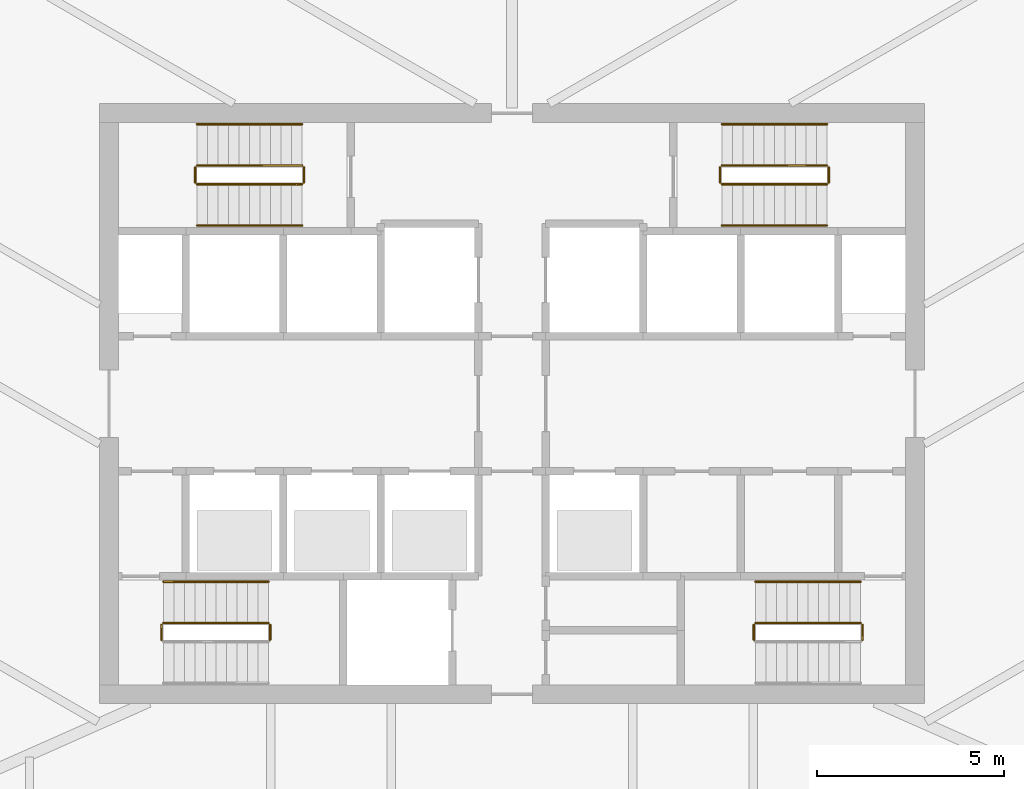
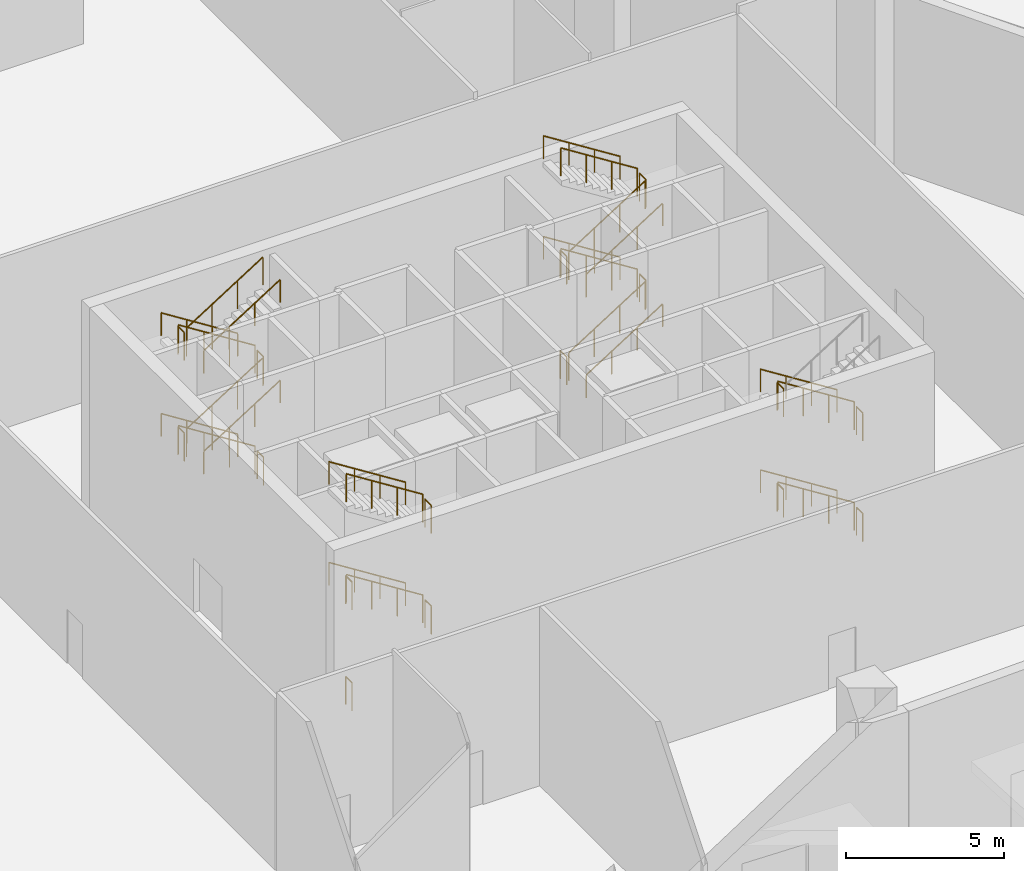
# One storey, part 16 of 20: 40 railings.
"""IFC4 building model written with IfcOpenShell, lengths in metres."""

from ifc_helpers import new_model, si_unit, direction, frame, origin, origin_2d, place, context, subcontext, project, spatial, circle, extrude, material, type_object, element, save


model = new_model("IFC4")

# Units and contexts
model_context = context("Model", 3, precision=1e-05, world=origin(), true_north=direction((0.0, 1.0)))
body_context = subcontext(model_context, "Body", "Model", "MODEL_VIEW")
ifc_project = project(units=[si_unit("LENGTHUNIT", "METRE"), si_unit("AREAUNIT", "SQUARE_METRE"), si_unit("VOLUMEUNIT", "CUBIC_METRE"), si_unit("PLANEANGLEUNIT", "RADIAN"), si_unit("MASSUNIT", "GRAM", prefix="KILO")], contexts=[model_context])

# Site, building, storey
site_placement = place(None, origin())
site = spatial("IfcSite", under=ifc_project, at=site_placement, CompositionType="ELEMENT")
building_placement = place(site_placement, origin())
building = spatial("IfcBuilding", under=site, at=building_placement, Name="Sierra Prisma Convention Tower", CompositionType="ELEMENT")
storey_placement = place(building_placement, frame((0.0, 0.0, 9.0)))
storey = spatial("IfcBuildingStorey", under=building, at=storey_placement, Name="L01", CompositionType="ELEMENT", Elevation=9.0)

# Railings
ifc_material_1 = material(Name="Stainless steel", Category="steel")
railing_type_1 = type_object("IfcRailingType", Name="Exit stair handrail", PredefinedType="HANDRAIL", material=ifc_material_1)
for number, where, name in (
    (1, (-6.5, -4.75, 2.127197265625), "L01 S1 stair handrail 2"),
    (2, (-6.5, -4.75, 6.02734375), "L01 S1 stair handrail 4"),
    (3, (9.300048828125, -4.75, 0.17724609375), "L01 S2 stair handrail 1"),
    (4, (9.300048828125, -4.75, 4.077392578125), "L01 S2 stair handrail 3"),
):
    element("IfcRailing", number, at=place(storey_placement, frame(where)), inside=storey, type_object=railing_type_1, Name=name, PredefinedType="HANDRAIL", context=body_context, shape_type="SweptSolid", body=[
        extrude(circle(Radius=0.02392578125, at=origin_2d()), frame((0.0, 0.0, 0.8759765625), z_axis=(-0.844908973607, 0.0, 0.534910110503), x_axis=(0.0, -1.0, 0.0)), (0.0, 0.0, 1.0), 3.31396484375),
        extrude(circle(Radius=0.02099609375, at=origin_2d()), origin(), (0.0, 0.0, 1.0), 0.851806640625),
        extrude(circle(Radius=0.02099609375, at=origin_2d()), frame((-0.933349609375, 0.0, 0.5908203125)), (0.0, 0.0, 1.0), 0.851806640625),
        extrude(circle(Radius=0.02099609375, at=origin_2d()), frame((-1.86669921875, 0.0, 1.181884765625)), (0.0, 0.0, 1.0), 0.851806640625),
        extrude(circle(Radius=0.02099609375, at=origin_2d()), frame((-2.800048828125, 0.0, 1.772705078125)), (0.0, 0.0, 1.0), 0.851806640625),
    ])
railing_1_placement = place(storey_placement, frame((-5.60009765625, 7.449951171875, 0.17724609375)))
element("IfcRailing", 5, at=railing_1_placement, inside=storey, type_object=railing_type_1, Name="L01 S3 stair handrail 1", PredefinedType="HANDRAIL", context=body_context, shape_type="SweptSolid", body=[
    extrude(circle(Radius=0.02392578125, at=origin_2d()), frame((0.0, 0.0, 0.8759765625), z_axis=(-0.844887892834, 0.0, 0.53494340686), x_axis=(0.0, -1.0, 0.0)), (0.0, 0.0, 1.0), 3.313720703125),
    extrude(circle(Radius=0.02099609375, at=origin_2d()), origin(), (0.0, 0.0, 1.0), 0.851806640625),
    extrude(circle(Radius=0.02099609375, at=origin_2d()), frame((-0.933349609375, 0.0, 0.5908203125)), (0.0, 0.0, 1.0), 0.851806640625),
    extrude(circle(Radius=0.02099609375, at=origin_2d()), frame((-1.866455078125, 0.0, 1.181884765625)), (0.0, 0.0, 1.0), 0.851806640625),
    extrude(circle(Radius=0.02099609375, at=origin_2d()), frame((-2.7998046875, 0.0, 1.772705078125)), (0.0, 0.0, 1.0), 0.851806640625),
])
railing_2_placement = place(storey_placement, frame((-8.39990234375, 4.75, 2.127197265625)))
element("IfcRailing", 6, at=railing_2_placement, inside=storey, type_object=railing_type_1, Name="L01 S3 stair handrail 2", PredefinedType="HANDRAIL", context=body_context, shape_type="SweptSolid", body=[
    extrude(circle(Radius=0.02392578125, at=origin_2d()), frame((0.0, 0.0, 0.8759765625), z_axis=(0.844887892834, 0.0, 0.53494340686), x_axis=(0.0, 1.0, 0.0)), (0.0, 0.0, 1.0), 3.313720703125),
    extrude(circle(Radius=0.02099609375, at=origin_2d()), origin(), (0.0, 0.0, 1.0), 0.851806640625),
    extrude(circle(Radius=0.02099609375, at=origin_2d()), frame((0.933349609375, 0.0, 0.5908203125)), (0.0, 0.0, 1.0), 0.851806640625),
    extrude(circle(Radius=0.02099609375, at=origin_2d()), frame((1.866455078125, 0.0, 1.181884765625)), (0.0, 0.0, 1.0), 0.851806640625),
    extrude(circle(Radius=0.02099609375, at=origin_2d()), frame((2.7998046875, 0.0, 1.772705078125)), (0.0, 0.0, 1.0), 0.851806640625),
])
railing_3_placement = place(storey_placement, frame((-5.60009765625, 7.449951171875, 4.077392578125)))
element("IfcRailing", 7, at=railing_3_placement, inside=storey, type_object=railing_type_1, Name="L01 S3 stair handrail 3", PredefinedType="HANDRAIL", context=body_context, shape_type="SweptSolid", body=[
    extrude(circle(Radius=0.02392578125, at=origin_2d()), frame((0.0, 0.0, 0.8759765625), z_axis=(-0.844887892834, 0.0, 0.53494340686), x_axis=(0.0, -1.0, 0.0)), (0.0, 0.0, 1.0), 3.313720703125),
    extrude(circle(Radius=0.02099609375, at=origin_2d()), origin(), (0.0, 0.0, 1.0), 0.851806640625),
    extrude(circle(Radius=0.02099609375, at=origin_2d()), frame((-0.933349609375, 0.0, 0.5908203125)), (0.0, 0.0, 1.0), 0.851806640625),
    extrude(circle(Radius=0.02099609375, at=origin_2d()), frame((-1.866455078125, 0.0, 1.181884765625)), (0.0, 0.0, 1.0), 0.851806640625),
    extrude(circle(Radius=0.02099609375, at=origin_2d()), frame((-2.7998046875, 0.0, 1.772705078125)), (0.0, 0.0, 1.0), 0.851806640625),
])
for number, where, name in (
    (8, (-8.39990234375, 4.75, 6.02734375), "L01 S3 stair handrail 4"),
    (9, (5.60009765625, 4.75, 0.17724609375), "L01 S4 stair handrail 1"),
):
    element("IfcRailing", number, at=place(storey_placement, frame(where)), inside=storey, type_object=railing_type_1, Name=name, PredefinedType="HANDRAIL", context=body_context, shape_type="SweptSolid", body=[
        extrude(circle(Radius=0.02392578125, at=origin_2d()), frame((0.0, 0.0, 0.8759765625), z_axis=(0.844887892834, 0.0, 0.53494340686), x_axis=(0.0, 1.0, 0.0)), (0.0, 0.0, 1.0), 3.313720703125),
        extrude(circle(Radius=0.02099609375, at=origin_2d()), origin(), (0.0, 0.0, 1.0), 0.851806640625),
        extrude(circle(Radius=0.02099609375, at=origin_2d()), frame((0.933349609375, 0.0, 0.5908203125)), (0.0, 0.0, 1.0), 0.851806640625),
        extrude(circle(Radius=0.02099609375, at=origin_2d()), frame((1.866455078125, 0.0, 1.181884765625)), (0.0, 0.0, 1.0), 0.851806640625),
        extrude(circle(Radius=0.02099609375, at=origin_2d()), frame((2.7998046875, 0.0, 1.772705078125)), (0.0, 0.0, 1.0), 0.851806640625),
    ])
railing_4_placement = place(storey_placement, frame((8.39990234375, 7.449951171875, 2.127197265625)))
element("IfcRailing", 10, at=railing_4_placement, inside=storey, type_object=railing_type_1, Name="L01 S4 stair handrail 2", PredefinedType="HANDRAIL", context=body_context, shape_type="SweptSolid", body=[
    extrude(circle(Radius=0.02392578125, at=origin_2d()), frame((0.0, 0.0, 0.8759765625), z_axis=(-0.844887892834, 0.0, 0.53494340686), x_axis=(0.0, -1.0, 0.0)), (0.0, 0.0, 1.0), 3.313720703125),
    extrude(circle(Radius=0.02099609375, at=origin_2d()), origin(), (0.0, 0.0, 1.0), 0.851806640625),
    extrude(circle(Radius=0.02099609375, at=origin_2d()), frame((-0.933349609375, 0.0, 0.5908203125)), (0.0, 0.0, 1.0), 0.851806640625),
    extrude(circle(Radius=0.02099609375, at=origin_2d()), frame((-1.866455078125, 0.0, 1.181884765625)), (0.0, 0.0, 1.0), 0.851806640625),
    extrude(circle(Radius=0.02099609375, at=origin_2d()), frame((-2.7998046875, 0.0, 1.772705078125)), (0.0, 0.0, 1.0), 0.851806640625),
])
railing_5_placement = place(storey_placement, frame((5.60009765625, 4.75, 4.077392578125)))
element("IfcRailing", 11, at=railing_5_placement, inside=storey, type_object=railing_type_1, Name="L01 S4 stair handrail 3", PredefinedType="HANDRAIL", context=body_context, shape_type="SweptSolid", body=[
    extrude(circle(Radius=0.02392578125, at=origin_2d()), frame((0.0, 0.0, 0.8759765625), z_axis=(0.844887892834, 0.0, 0.53494340686), x_axis=(0.0, 1.0, 0.0)), (0.0, 0.0, 1.0), 3.313720703125),
    extrude(circle(Radius=0.02099609375, at=origin_2d()), origin(), (0.0, 0.0, 1.0), 0.851806640625),
    extrude(circle(Radius=0.02099609375, at=origin_2d()), frame((0.933349609375, 0.0, 0.5908203125)), (0.0, 0.0, 1.0), 0.851806640625),
    extrude(circle(Radius=0.02099609375, at=origin_2d()), frame((1.866455078125, 0.0, 1.181884765625)), (0.0, 0.0, 1.0), 0.851806640625),
    extrude(circle(Radius=0.02099609375, at=origin_2d()), frame((2.7998046875, 0.0, 1.772705078125)), (0.0, 0.0, 1.0), 0.851806640625),
])
railing_6_placement = place(storey_placement, frame((8.39990234375, 7.449951171875, 6.02734375)))
element("IfcRailing", 12, at=railing_6_placement, inside=storey, type_object=railing_type_1, Name="L01 S4 stair handrail 4", PredefinedType="HANDRAIL", context=body_context, shape_type="SweptSolid", body=[
    extrude(circle(Radius=0.02392578125, at=origin_2d()), frame((0.0, 0.0, 0.8759765625), z_axis=(-0.844887892834, 0.0, 0.53494340686), x_axis=(0.0, -1.0, 0.0)), (0.0, 0.0, 1.0), 3.313720703125),
    extrude(circle(Radius=0.02099609375, at=origin_2d()), origin(), (0.0, 0.0, 1.0), 0.851806640625),
    extrude(circle(Radius=0.02099609375, at=origin_2d()), frame((-0.933349609375, 0.0, 0.5908203125)), (0.0, 0.0, 1.0), 0.851806640625),
    extrude(circle(Radius=0.02099609375, at=origin_2d()), frame((-1.866455078125, 0.0, 1.181884765625)), (0.0, 0.0, 1.0), 0.851806640625),
    extrude(circle(Radius=0.02099609375, at=origin_2d()), frame((-2.7998046875, 0.0, 1.772705078125)), (0.0, 0.0, 1.0), 0.851806640625),
])
ifc_material_2 = material(Name="Stainless steel", Category="steel")
railing_type_2 = type_object("IfcRailingType", Name="Stair guard 1100", PredefinedType="GUARDRAIL", material=ifc_material_2)
railing_7_placement = place(storey_placement, frame((-6.449951171875, -6.300048828125, 1.949951171875)))
element("IfcRailing", 13, at=railing_7_placement, inside=storey, type_object=railing_type_2, Name="L01 S1 stair guard 2", PredefinedType="GUARDRAIL", context=body_context, shape_type="SweptSolid", body=[
    extrude(circle(Radius=0.02392578125, at=origin_2d()), frame((0.0, 0.0, 1.076171875), z_axis=(0.0, 1.0, 0.0), x_axis=(-1.0, 0.0, 0.0)), (0.0, 0.0, 1.0), 0.400146484375),
    extrude(circle(Radius=0.02099609375, at=origin_2d()), origin(), (0.0, 0.0, 1.0), 1.052001953125),
    extrude(circle(Radius=0.02099609375, at=origin_2d()), frame((0.0, 0.400146484375, 0.0)), (0.0, 0.0, 1.0), 1.052001953125),
])
railing_8_placement = place(storey_placement, frame((-6.5, -5.85009765625, 2.127197265625)))
element("IfcRailing", 14, at=railing_8_placement, inside=storey, type_object=railing_type_2, Name="L01 S1 stair guard 3", PredefinedType="GUARDRAIL", context=body_context, shape_type="SweptSolid", body=[
    extrude(circle(Radius=0.02392578125, at=origin_2d()), frame((0.0, 0.0, 1.076171875), z_axis=(-0.844908973607, 0.0, 0.534910110503), x_axis=(0.0, -1.0, 0.0)), (0.0, 0.0, 1.0), 3.31396484375),
    extrude(circle(Radius=0.02099609375, at=origin_2d()), origin(), (0.0, 0.0, 1.0), 1.052001953125),
    extrude(circle(Radius=0.02099609375, at=origin_2d()), frame((-0.933349609375, 0.0, 0.5908203125)), (0.0, 0.0, 1.0), 1.052001953125),
    extrude(circle(Radius=0.02099609375, at=origin_2d()), frame((-1.86669921875, 0.0, 1.181884765625)), (0.0, 0.0, 1.0), 1.052001953125),
    extrude(circle(Radius=0.02099609375, at=origin_2d()), frame((-2.800048828125, 0.0, 1.772705078125)), (0.0, 0.0, 1.0), 1.052001953125),
])
for number, where, name in (
    (15, (-9.35009765625, -6.300048828125, 3.89990234375), "L01 S1 stair guard 4"),
    (16, (-6.449951171875, -6.300048828125, 5.85009765625), "L01 S1 stair guard 6"),
):
    element("IfcRailing", number, at=place(storey_placement, frame(where)), inside=storey, type_object=railing_type_2, Name=name, PredefinedType="GUARDRAIL", context=body_context, shape_type="SweptSolid", body=[
        extrude(circle(Radius=0.02392578125, at=origin_2d()), frame((0.0, 0.0, 1.076171875), z_axis=(0.0, 1.0, 0.0), x_axis=(-1.0, 0.0, 0.0)), (0.0, 0.0, 1.0), 0.400146484375),
        extrude(circle(Radius=0.02099609375, at=origin_2d()), origin(), (0.0, 0.0, 1.0), 1.052001953125),
        extrude(circle(Radius=0.02099609375, at=origin_2d()), frame((0.0, 0.400146484375, 0.0)), (0.0, 0.0, 1.0), 1.052001953125),
    ])
railing_9_placement = place(storey_placement, frame((-6.5, -5.85009765625, 6.02734375)))
element("IfcRailing", 17, at=railing_9_placement, inside=storey, type_object=railing_type_2, Name="L01 S1 stair guard 7", PredefinedType="GUARDRAIL", context=body_context, shape_type="SweptSolid", body=[
    extrude(circle(Radius=0.02392578125, at=origin_2d()), frame((0.0, 0.0, 1.076171875), z_axis=(-0.844908973607, 0.0, 0.534910110503), x_axis=(0.0, -1.0, 0.0)), (0.0, 0.0, 1.0), 3.31396484375),
    extrude(circle(Radius=0.02099609375, at=origin_2d()), origin(), (0.0, 0.0, 1.0), 1.052001953125),
    extrude(circle(Radius=0.02099609375, at=origin_2d()), frame((-0.933349609375, 0.0, 0.5908203125)), (0.0, 0.0, 1.0), 1.052001953125),
    extrude(circle(Radius=0.02099609375, at=origin_2d()), frame((-1.86669921875, 0.0, 1.181884765625)), (0.0, 0.0, 1.0), 1.052001953125),
    extrude(circle(Radius=0.02099609375, at=origin_2d()), frame((-2.800048828125, 0.0, 1.772705078125)), (0.0, 0.0, 1.0), 1.052001953125),
])
railing_10_placement = place(storey_placement, frame((-9.35009765625, -6.300048828125, 0.0)))
element("IfcRailing", 18, at=railing_10_placement, inside=storey, type_object=railing_type_2, Name="L01 S1 stair guard 8", PredefinedType="GUARDRAIL", context=body_context, shape_type="SweptSolid", body=[
    extrude(circle(Radius=0.02392578125, at=origin_2d()), frame((0.0, 0.0, 1.076171875), z_axis=(0.0, 1.0, 0.0), x_axis=(-1.0, 0.0, 0.0)), (0.0, 0.0, 1.0), 0.400146484375),
    extrude(circle(Radius=0.02099609375, at=origin_2d()), origin(), (0.0, 0.0, 1.0), 1.052001953125),
    extrude(circle(Radius=0.02099609375, at=origin_2d()), frame((0.0, 0.400146484375, 0.0)), (0.0, 0.0, 1.0), 1.052001953125),
])
railing_11_placement = place(storey_placement, frame((9.300048828125, -5.85009765625, 0.17724609375)))
element("IfcRailing", 19, at=railing_11_placement, inside=storey, type_object=railing_type_2, Name="L01 S2 stair guard 1", PredefinedType="GUARDRAIL", context=body_context, shape_type="SweptSolid", body=[
    extrude(circle(Radius=0.02392578125, at=origin_2d()), frame((0.0, 0.0, 1.076171875), z_axis=(-0.844908973607, 0.0, 0.534910110503), x_axis=(0.0, -1.0, 0.0)), (0.0, 0.0, 1.0), 3.31396484375),
    extrude(circle(Radius=0.02099609375, at=origin_2d()), origin(), (0.0, 0.0, 1.0), 1.052001953125),
    extrude(circle(Radius=0.02099609375, at=origin_2d()), frame((-0.933349609375, 0.0, 0.5908203125)), (0.0, 0.0, 1.0), 1.052001953125),
    extrude(circle(Radius=0.02099609375, at=origin_2d()), frame((-1.86669921875, 0.0, 1.181884765625)), (0.0, 0.0, 1.0), 1.052001953125),
    extrude(circle(Radius=0.02099609375, at=origin_2d()), frame((-2.800048828125, 0.0, 1.772705078125)), (0.0, 0.0, 1.0), 1.052001953125),
])
for number, where, name in (
    (20, (6.449951171875, -5.89990234375, 1.949951171875), "L01 S2 stair guard 2"),
    (21, (9.35009765625, -5.89990234375, 3.89990234375), "L01 S2 stair guard 4"),
):
    element("IfcRailing", number, at=place(storey_placement, frame(where)), inside=storey, type_object=railing_type_2, Name=name, PredefinedType="GUARDRAIL", context=body_context, shape_type="SweptSolid", body=[
        extrude(circle(Radius=0.02392578125, at=origin_2d()), frame((0.0, 0.0, 1.076171875), z_axis=(0.0, -1.0, 0.0), x_axis=(1.0, 0.0, 0.0)), (0.0, 0.0, 1.0), 0.400146484375),
        extrude(circle(Radius=0.02099609375, at=origin_2d()), origin(), (0.0, 0.0, 1.0), 1.052001953125),
        extrude(circle(Radius=0.02099609375, at=origin_2d()), frame((0.0, -0.400146484375, 0.0)), (0.0, 0.0, 1.0), 1.052001953125),
    ])
railing_12_placement = place(storey_placement, frame((9.300048828125, -5.85009765625, 4.077392578125)))
element("IfcRailing", 22, at=railing_12_placement, inside=storey, type_object=railing_type_2, Name="L01 S2 stair guard 5", PredefinedType="GUARDRAIL", context=body_context, shape_type="SweptSolid", body=[
    extrude(circle(Radius=0.02392578125, at=origin_2d()), frame((0.0, 0.0, 1.076171875), z_axis=(-0.844908973607, 0.0, 0.534910110503), x_axis=(0.0, -1.0, 0.0)), (0.0, 0.0, 1.0), 3.31396484375),
    extrude(circle(Radius=0.02099609375, at=origin_2d()), origin(), (0.0, 0.0, 1.0), 1.052001953125),
    extrude(circle(Radius=0.02099609375, at=origin_2d()), frame((-0.933349609375, 0.0, 0.5908203125)), (0.0, 0.0, 1.0), 1.052001953125),
    extrude(circle(Radius=0.02099609375, at=origin_2d()), frame((-1.86669921875, 0.0, 1.181884765625)), (0.0, 0.0, 1.0), 1.052001953125),
    extrude(circle(Radius=0.02099609375, at=origin_2d()), frame((-2.800048828125, 0.0, 1.772705078125)), (0.0, 0.0, 1.0), 1.052001953125),
])
for number, where, name in (
    (23, (6.449951171875, -5.89990234375, 5.85009765625), "L01 S2 stair guard 6"),
    (24, (9.35009765625, -5.89990234375, 0.0), "L01 S2 stair guard 8"),
):
    element("IfcRailing", number, at=place(storey_placement, frame(where)), inside=storey, type_object=railing_type_2, Name=name, PredefinedType="GUARDRAIL", context=body_context, shape_type="SweptSolid", body=[
        extrude(circle(Radius=0.02392578125, at=origin_2d()), frame((0.0, 0.0, 1.076171875), z_axis=(0.0, -1.0, 0.0), x_axis=(1.0, 0.0, 0.0)), (0.0, 0.0, 1.0), 0.400146484375),
        extrude(circle(Radius=0.02099609375, at=origin_2d()), origin(), (0.0, 0.0, 1.0), 1.052001953125),
        extrude(circle(Radius=0.02099609375, at=origin_2d()), frame((0.0, -0.400146484375, 0.0)), (0.0, 0.0, 1.0), 1.052001953125),
    ])
railing_13_placement = place(storey_placement, frame((-5.60009765625, 6.35009765625, 0.17724609375)))
element("IfcRailing", 25, at=railing_13_placement, inside=storey, type_object=railing_type_2, Name="L01 S3 stair guard 1", PredefinedType="GUARDRAIL", context=body_context, shape_type="SweptSolid", body=[
    extrude(circle(Radius=0.02392578125, at=origin_2d()), frame((0.0, 0.0, 1.076171875), z_axis=(-0.844887892834, 0.0, 0.53494340686), x_axis=(0.0, -1.0, 0.0)), (0.0, 0.0, 1.0), 3.313720703125),
    extrude(circle(Radius=0.02099609375, at=origin_2d()), origin(), (0.0, 0.0, 1.0), 1.052001953125),
    extrude(circle(Radius=0.02099609375, at=origin_2d()), frame((-0.933349609375, 0.0, 0.5908203125)), (0.0, 0.0, 1.0), 1.052001953125),
    extrude(circle(Radius=0.02099609375, at=origin_2d()), frame((-1.866455078125, 0.0, 1.181884765625)), (0.0, 0.0, 1.0), 1.052001953125),
    extrude(circle(Radius=0.02099609375, at=origin_2d()), frame((-2.7998046875, 0.0, 1.772705078125)), (0.0, 0.0, 1.0), 1.052001953125),
])
railing_14_placement = place(storey_placement, frame((-8.449951171875, 6.300048828125, 1.949951171875)))
element("IfcRailing", 26, at=railing_14_placement, inside=storey, type_object=railing_type_2, Name="L01 S3 stair guard 2", PredefinedType="GUARDRAIL", context=body_context, shape_type="SweptSolid", body=[
    extrude(circle(Radius=0.02392578125, at=origin_2d()), frame((0.0, 0.0, 1.076171875), z_axis=(0.0, -1.0, 0.0), x_axis=(1.0, 0.0, 0.0)), (0.0, 0.0, 1.0), 0.400146484375),
    extrude(circle(Radius=0.02099609375, at=origin_2d()), origin(), (0.0, 0.0, 1.0), 1.052001953125),
    extrude(circle(Radius=0.02099609375, at=origin_2d()), frame((0.0, -0.400146484375, 0.0)), (0.0, 0.0, 1.0), 1.052001953125),
])
railing_15_placement = place(storey_placement, frame((-8.39990234375, 5.85009765625, 2.127197265625)))
element("IfcRailing", 27, at=railing_15_placement, inside=storey, type_object=railing_type_2, Name="L01 S3 stair guard 3", PredefinedType="GUARDRAIL", context=body_context, shape_type="SweptSolid", body=[
    extrude(circle(Radius=0.02392578125, at=origin_2d()), frame((0.0, 0.0, 1.076171875), z_axis=(0.844887892834, 0.0, 0.53494340686), x_axis=(0.0, 1.0, 0.0)), (0.0, 0.0, 1.0), 3.313720703125),
    extrude(circle(Radius=0.02099609375, at=origin_2d()), origin(), (0.0, 0.0, 1.0), 1.052001953125),
    extrude(circle(Radius=0.02099609375, at=origin_2d()), frame((0.933349609375, 0.0, 0.5908203125)), (0.0, 0.0, 1.0), 1.052001953125),
    extrude(circle(Radius=0.02099609375, at=origin_2d()), frame((1.866455078125, 0.0, 1.181884765625)), (0.0, 0.0, 1.0), 1.052001953125),
    extrude(circle(Radius=0.02099609375, at=origin_2d()), frame((2.7998046875, 0.0, 1.772705078125)), (0.0, 0.0, 1.0), 1.052001953125),
])
railing_16_placement = place(storey_placement, frame((-5.550048828125, 6.300048828125, 3.89990234375)))
element("IfcRailing", 28, at=railing_16_placement, inside=storey, type_object=railing_type_2, Name="L01 S3 stair guard 4", PredefinedType="GUARDRAIL", context=body_context, shape_type="SweptSolid", body=[
    extrude(circle(Radius=0.02392578125, at=origin_2d()), frame((0.0, 0.0, 1.076171875), z_axis=(0.0, -1.0, 0.0), x_axis=(1.0, 0.0, 0.0)), (0.0, 0.0, 1.0), 0.400146484375),
    extrude(circle(Radius=0.02099609375, at=origin_2d()), origin(), (0.0, 0.0, 1.0), 1.052001953125),
    extrude(circle(Radius=0.02099609375, at=origin_2d()), frame((0.0, -0.400146484375, 0.0)), (0.0, 0.0, 1.0), 1.052001953125),
])
railing_17_placement = place(storey_placement, frame((-5.60009765625, 6.35009765625, 4.077392578125)))
element("IfcRailing", 29, at=railing_17_placement, inside=storey, type_object=railing_type_2, Name="L01 S3 stair guard 5", PredefinedType="GUARDRAIL", context=body_context, shape_type="SweptSolid", body=[
    extrude(circle(Radius=0.02392578125, at=origin_2d()), frame((0.0, 0.0, 1.076171875), z_axis=(-0.844887892834, 0.0, 0.53494340686), x_axis=(0.0, -1.0, 0.0)), (0.0, 0.0, 1.0), 3.313720703125),
    extrude(circle(Radius=0.02099609375, at=origin_2d()), origin(), (0.0, 0.0, 1.0), 1.052001953125),
    extrude(circle(Radius=0.02099609375, at=origin_2d()), frame((-0.933349609375, 0.0, 0.5908203125)), (0.0, 0.0, 1.0), 1.052001953125),
    extrude(circle(Radius=0.02099609375, at=origin_2d()), frame((-1.866455078125, 0.0, 1.181884765625)), (0.0, 0.0, 1.0), 1.052001953125),
    extrude(circle(Radius=0.02099609375, at=origin_2d()), frame((-2.7998046875, 0.0, 1.772705078125)), (0.0, 0.0, 1.0), 1.052001953125),
])
railing_18_placement = place(storey_placement, frame((-8.449951171875, 6.300048828125, 5.85009765625)))
element("IfcRailing", 30, at=railing_18_placement, inside=storey, type_object=railing_type_2, Name="L01 S3 stair guard 6", PredefinedType="GUARDRAIL", context=body_context, shape_type="SweptSolid", body=[
    extrude(circle(Radius=0.02392578125, at=origin_2d()), frame((0.0, 0.0, 1.076171875), z_axis=(0.0, -1.0, 0.0), x_axis=(1.0, 0.0, 0.0)), (0.0, 0.0, 1.0), 0.400146484375),
    extrude(circle(Radius=0.02099609375, at=origin_2d()), origin(), (0.0, 0.0, 1.0), 1.052001953125),
    extrude(circle(Radius=0.02099609375, at=origin_2d()), frame((0.0, -0.400146484375, 0.0)), (0.0, 0.0, 1.0), 1.052001953125),
])
railing_19_placement = place(storey_placement, frame((-8.39990234375, 5.85009765625, 6.02734375)))
element("IfcRailing", 31, at=railing_19_placement, inside=storey, type_object=railing_type_2, Name="L01 S3 stair guard 7", PredefinedType="GUARDRAIL", context=body_context, shape_type="SweptSolid", body=[
    extrude(circle(Radius=0.02392578125, at=origin_2d()), frame((0.0, 0.0, 1.076171875), z_axis=(0.844887892834, 0.0, 0.53494340686), x_axis=(0.0, 1.0, 0.0)), (0.0, 0.0, 1.0), 3.313720703125),
    extrude(circle(Radius=0.02099609375, at=origin_2d()), origin(), (0.0, 0.0, 1.0), 1.052001953125),
    extrude(circle(Radius=0.02099609375, at=origin_2d()), frame((0.933349609375, 0.0, 0.5908203125)), (0.0, 0.0, 1.0), 1.052001953125),
    extrude(circle(Radius=0.02099609375, at=origin_2d()), frame((1.866455078125, 0.0, 1.181884765625)), (0.0, 0.0, 1.0), 1.052001953125),
    extrude(circle(Radius=0.02099609375, at=origin_2d()), frame((2.7998046875, 0.0, 1.772705078125)), (0.0, 0.0, 1.0), 1.052001953125),
])
railing_20_placement = place(storey_placement, frame((-5.550048828125, 6.300048828125, 0.0)))
element("IfcRailing", 32, at=railing_20_placement, inside=storey, type_object=railing_type_2, Name="L01 S3 stair guard 8", PredefinedType="GUARDRAIL", context=body_context, shape_type="SweptSolid", body=[
    extrude(circle(Radius=0.02392578125, at=origin_2d()), frame((0.0, 0.0, 1.076171875), z_axis=(0.0, -1.0, 0.0), x_axis=(1.0, 0.0, 0.0)), (0.0, 0.0, 1.0), 0.400146484375),
    extrude(circle(Radius=0.02099609375, at=origin_2d()), origin(), (0.0, 0.0, 1.0), 1.052001953125),
    extrude(circle(Radius=0.02099609375, at=origin_2d()), frame((0.0, -0.400146484375, 0.0)), (0.0, 0.0, 1.0), 1.052001953125),
])
railing_21_placement = place(storey_placement, frame((5.60009765625, 5.85009765625, 0.17724609375)))
element("IfcRailing", 33, at=railing_21_placement, inside=storey, type_object=railing_type_2, Name="L01 S4 stair guard 1", PredefinedType="GUARDRAIL", context=body_context, shape_type="SweptSolid", body=[
    extrude(circle(Radius=0.02392578125, at=origin_2d()), frame((0.0, 0.0, 1.076171875), z_axis=(0.844887892834, 0.0, 0.53494340686), x_axis=(0.0, 1.0, 0.0)), (0.0, 0.0, 1.0), 3.313720703125),
    extrude(circle(Radius=0.02099609375, at=origin_2d()), origin(), (0.0, 0.0, 1.0), 1.052001953125),
    extrude(circle(Radius=0.02099609375, at=origin_2d()), frame((0.933349609375, 0.0, 0.5908203125)), (0.0, 0.0, 1.0), 1.052001953125),
    extrude(circle(Radius=0.02099609375, at=origin_2d()), frame((1.866455078125, 0.0, 1.181884765625)), (0.0, 0.0, 1.0), 1.052001953125),
    extrude(circle(Radius=0.02099609375, at=origin_2d()), frame((2.7998046875, 0.0, 1.772705078125)), (0.0, 0.0, 1.0), 1.052001953125),
])
railing_22_placement = place(storey_placement, frame((8.449951171875, 5.89990234375, 1.949951171875)))
element("IfcRailing", 34, at=railing_22_placement, inside=storey, type_object=railing_type_2, Name="L01 S4 stair guard 2", PredefinedType="GUARDRAIL", context=body_context, shape_type="SweptSolid", body=[
    extrude(circle(Radius=0.02392578125, at=origin_2d()), frame((0.0, 0.0, 1.076171875), z_axis=(0.0, 1.0, 0.0), x_axis=(-1.0, 0.0, 0.0)), (0.0, 0.0, 1.0), 0.400146484375),
    extrude(circle(Radius=0.02099609375, at=origin_2d()), origin(), (0.0, 0.0, 1.0), 1.052001953125),
    extrude(circle(Radius=0.02099609375, at=origin_2d()), frame((0.0, 0.400146484375, 0.0)), (0.0, 0.0, 1.0), 1.052001953125),
])
railing_23_placement = place(storey_placement, frame((8.39990234375, 6.35009765625, 2.127197265625)))
element("IfcRailing", 35, at=railing_23_placement, inside=storey, type_object=railing_type_2, Name="L01 S4 stair guard 3", PredefinedType="GUARDRAIL", context=body_context, shape_type="SweptSolid", body=[
    extrude(circle(Radius=0.02392578125, at=origin_2d()), frame((0.0, 0.0, 1.076171875), z_axis=(-0.844887892834, 0.0, 0.53494340686), x_axis=(0.0, -1.0, 0.0)), (0.0, 0.0, 1.0), 3.313720703125),
    extrude(circle(Radius=0.02099609375, at=origin_2d()), origin(), (0.0, 0.0, 1.0), 1.052001953125),
    extrude(circle(Radius=0.02099609375, at=origin_2d()), frame((-0.933349609375, 0.0, 0.5908203125)), (0.0, 0.0, 1.0), 1.052001953125),
    extrude(circle(Radius=0.02099609375, at=origin_2d()), frame((-1.866455078125, 0.0, 1.181884765625)), (0.0, 0.0, 1.0), 1.052001953125),
    extrude(circle(Radius=0.02099609375, at=origin_2d()), frame((-2.7998046875, 0.0, 1.772705078125)), (0.0, 0.0, 1.0), 1.052001953125),
])
railing_24_placement = place(storey_placement, frame((5.550048828125, 5.89990234375, 3.89990234375)))
element("IfcRailing", 36, at=railing_24_placement, inside=storey, type_object=railing_type_2, Name="L01 S4 stair guard 4", PredefinedType="GUARDRAIL", context=body_context, shape_type="SweptSolid", body=[
    extrude(circle(Radius=0.02392578125, at=origin_2d()), frame((0.0, 0.0, 1.076171875), z_axis=(0.0, 1.0, 0.0), x_axis=(-1.0, 0.0, 0.0)), (0.0, 0.0, 1.0), 0.400146484375),
    extrude(circle(Radius=0.02099609375, at=origin_2d()), origin(), (0.0, 0.0, 1.0), 1.052001953125),
    extrude(circle(Radius=0.02099609375, at=origin_2d()), frame((0.0, 0.400146484375, 0.0)), (0.0, 0.0, 1.0), 1.052001953125),
])
railing_25_placement = place(storey_placement, frame((5.60009765625, 5.85009765625, 4.077392578125)))
element("IfcRailing", 37, at=railing_25_placement, inside=storey, type_object=railing_type_2, Name="L01 S4 stair guard 5", PredefinedType="GUARDRAIL", context=body_context, shape_type="SweptSolid", body=[
    extrude(circle(Radius=0.02392578125, at=origin_2d()), frame((0.0, 0.0, 1.076171875), z_axis=(0.844887892834, 0.0, 0.53494340686), x_axis=(0.0, 1.0, 0.0)), (0.0, 0.0, 1.0), 3.313720703125),
    extrude(circle(Radius=0.02099609375, at=origin_2d()), origin(), (0.0, 0.0, 1.0), 1.052001953125),
    extrude(circle(Radius=0.02099609375, at=origin_2d()), frame((0.933349609375, 0.0, 0.5908203125)), (0.0, 0.0, 1.0), 1.052001953125),
    extrude(circle(Radius=0.02099609375, at=origin_2d()), frame((1.866455078125, 0.0, 1.181884765625)), (0.0, 0.0, 1.0), 1.052001953125),
    extrude(circle(Radius=0.02099609375, at=origin_2d()), frame((2.7998046875, 0.0, 1.772705078125)), (0.0, 0.0, 1.0), 1.052001953125),
])
railing_26_placement = place(storey_placement, frame((8.449951171875, 5.89990234375, 5.85009765625)))
element("IfcRailing", 38, at=railing_26_placement, inside=storey, type_object=railing_type_2, Name="L01 S4 stair guard 6", PredefinedType="GUARDRAIL", context=body_context, shape_type="SweptSolid", body=[
    extrude(circle(Radius=0.02392578125, at=origin_2d()), frame((0.0, 0.0, 1.076171875), z_axis=(0.0, 1.0, 0.0), x_axis=(-1.0, 0.0, 0.0)), (0.0, 0.0, 1.0), 0.400146484375),
    extrude(circle(Radius=0.02099609375, at=origin_2d()), origin(), (0.0, 0.0, 1.0), 1.052001953125),
    extrude(circle(Radius=0.02099609375, at=origin_2d()), frame((0.0, 0.400146484375, 0.0)), (0.0, 0.0, 1.0), 1.052001953125),
])
railing_27_placement = place(storey_placement, frame((8.39990234375, 6.35009765625, 6.02734375)))
element("IfcRailing", 39, at=railing_27_placement, inside=storey, type_object=railing_type_2, Name="L01 S4 stair guard 7", PredefinedType="GUARDRAIL", context=body_context, shape_type="SweptSolid", body=[
    extrude(circle(Radius=0.02392578125, at=origin_2d()), frame((0.0, 0.0, 1.076171875), z_axis=(-0.844887892834, 0.0, 0.53494340686), x_axis=(0.0, -1.0, 0.0)), (0.0, 0.0, 1.0), 3.313720703125),
    extrude(circle(Radius=0.02099609375, at=origin_2d()), origin(), (0.0, 0.0, 1.0), 1.052001953125),
    extrude(circle(Radius=0.02099609375, at=origin_2d()), frame((-0.933349609375, 0.0, 0.5908203125)), (0.0, 0.0, 1.0), 1.052001953125),
    extrude(circle(Radius=0.02099609375, at=origin_2d()), frame((-1.866455078125, 0.0, 1.181884765625)), (0.0, 0.0, 1.0), 1.052001953125),
    extrude(circle(Radius=0.02099609375, at=origin_2d()), frame((-2.7998046875, 0.0, 1.772705078125)), (0.0, 0.0, 1.0), 1.052001953125),
])
railing_28_placement = place(storey_placement, frame((5.550048828125, 5.89990234375, 0.0)))
element("IfcRailing", 40, at=railing_28_placement, inside=storey, type_object=railing_type_2, Name="L01 S4 stair guard 8", PredefinedType="GUARDRAIL", context=body_context, shape_type="SweptSolid", body=[
    extrude(circle(Radius=0.02392578125, at=origin_2d()), frame((0.0, 0.0, 1.076171875), z_axis=(0.0, 1.0, 0.0), x_axis=(-1.0, 0.0, 0.0)), (0.0, 0.0, 1.0), 0.400146484375),
    extrude(circle(Radius=0.02099609375, at=origin_2d()), origin(), (0.0, 0.0, 1.0), 1.052001953125),
    extrude(circle(Radius=0.02099609375, at=origin_2d()), frame((0.0, 0.400146484375, 0.0)), (0.0, 0.0, 1.0), 1.052001953125),
])

save(model, "model.ifc")
